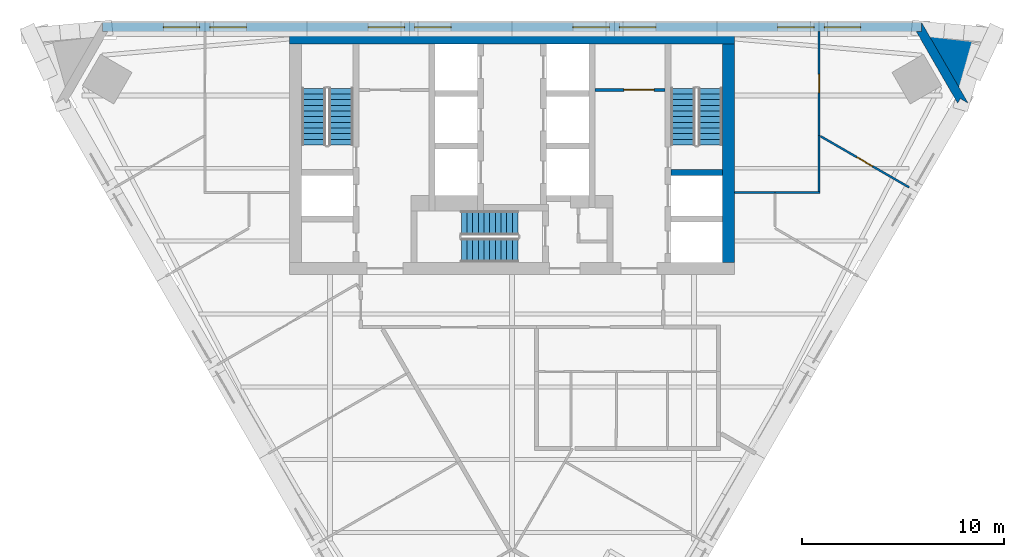
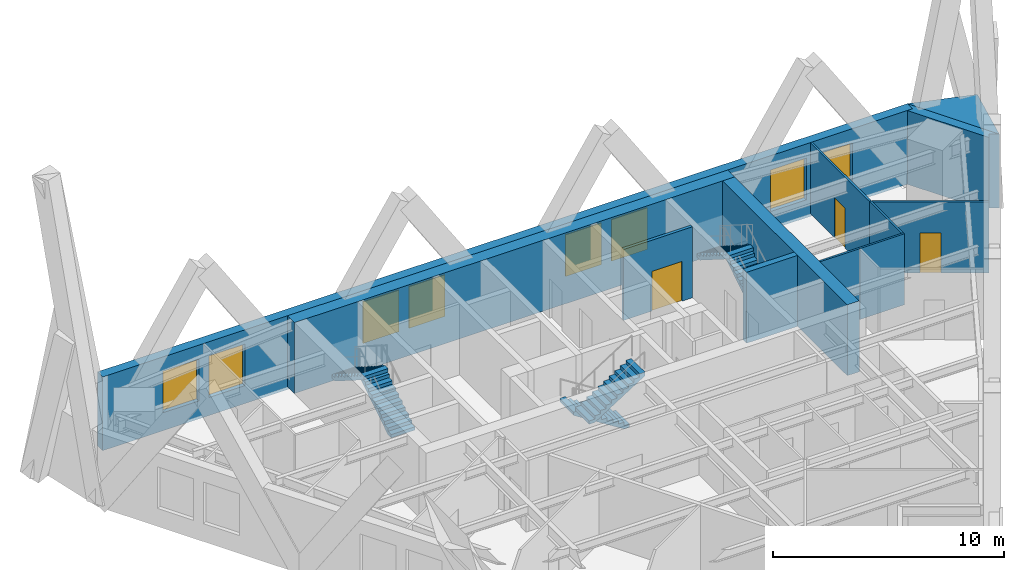
# One storey, part 6 of 8: 12 walls, 8 windows, 6 stair flights, 3 doors, 11 openings, 3 elements without a shape of their own.
"""IFC4 building model written with IfcOpenShell, lengths in metres."""

from ifc_helpers import new_model, si_unit, direction, frame, frame_2d, origin, place, context, subcontext, project, spatial, polyline, rectangle, outline, extrude, material, layer, layer_set, type_object, element, fill, aggregate, save


model = new_model("IFC4")

# Units and contexts
model_context = context("Model", 3, precision=1e-05, world=origin(), true_north=direction((0.0, 1.0)))
body_context = subcontext(model_context, "Body", "Model", "MODEL_VIEW")
ifc_project = project(units=[si_unit("LENGTHUNIT", "METRE"), si_unit("AREAUNIT", "SQUARE_METRE"), si_unit("VOLUMEUNIT", "CUBIC_METRE"), si_unit("PLANEANGLEUNIT", "RADIAN"), si_unit("MASSUNIT", "GRAM", prefix="KILO")], contexts=[model_context])

# Site, building, storey
site_placement = place(None, origin())
site = spatial("IfcSite", under=ifc_project, at=site_placement, CompositionType="ELEMENT")
building_placement = place(site_placement, origin())
building = spatial("IfcBuilding", under=site, at=building_placement, Name="Aloe Facet Convention Tower", CompositionType="ELEMENT")
storey_placement = place(building_placement, frame((0.0, 0.0, 159.800048828125)))
storey = spatial("IfcBuildingStorey", under=building, at=storey_placement, Name="L40", CompositionType="ELEMENT", Elevation=159.800048828125)

# Wall, opening, door
ifc_material_1 = material(Name="Concrete blockwork partition", Category="masonry")
ifc_layer_1 = layer(ifc_material_1, 0.14990234375)
ifc_layer_set_1 = layer_set([ifc_layer_1], Name="CR-W-PART150")
wall_type_1 = type_object("IfcWallType", Name="CR-W-PART150", PredefinedType="PARTITIONING", material=ifc_layer_set_1)
wall_1_placement = place(storey_placement, frame((84.10009765625, 131.675048828125, 0.0), z_axis=(0.0, 0.0, 1.0), x_axis=(1.0, 0.0, 0.0)))
wall_1 = element("IfcWall", 1, at=wall_1_placement, inside=storey, type_object=wall_type_1, Name="Core partition L40-025", PredefinedType="PARTITIONING", context=body_context, shape_type="SweptSolid", body=[
    extrude(rectangle(XDim=3.449951171875, YDim=0.14990234375, at=frame_2d((1.72509765625, 0.0))), origin(), (0.0, 0.0, 1.0), 3.75),
])
opening_1_placement = place(wall_1_placement, frame((1.425048828125, 0.0, 0.0)))
opening_1 = element("IfcOpeningElement", 2, at=opening_1_placement, cuts=wall_1, Name="Opening L40-CD13", PredefinedType="OPENING", context=body_context, shape_type="SweptSolid", body=[
    extrude(rectangle(XDim=1.5, YDim=2.10009765625, at=frame_2d((0.75, 1.050048828125))), frame((0.0, 0.0849609375, 0.0), z_axis=(0.0, -1.0, 0.0), x_axis=(1.0, 0.0, 0.0)), (0.0, 0.0, 1.0), 0.169921875),
])
ifc_material_2 = material(Name="Steel fire-resisting door set FD60", Category="steel")
door_type_1 = type_object("IfcDoorType", Name="CR-D-REFUGE-1500-FD60-DD", OperationType="DOUBLE_DOOR_DOUBLE_SWING", PredefinedType="DOOR", material=ifc_material_2)
door_1_placement = place(opening_1_placement, origin())
door_1 = element("IfcDoor", 3, at=door_1_placement, inside=storey, type_object=door_type_1, Name="Core door L40-CD13", OperationType="DOUBLE_DOOR_DOUBLE_SWING", OverallHeight=2.10009765625, OverallWidth=1.5, PredefinedType="DOOR", context=body_context, shape_type="SweptSolid", body=[
    extrude(rectangle(XDim=1.5, YDim=2.10009765625, at=frame_2d((0.75, 1.050048828125))), frame((0.0, 0.02490234375, 0.0), z_axis=(0.0, -1.0, 0.0), x_axis=(1.0, 0.0, 0.0)), (0.0, 0.0, 1.0), 0.050048828125),
])
fill(opening_1, door_1)

# Walls
ifc_material_3 = material(Name="Concrete C60/75", Category="concrete")
ifc_layer_2 = layer(ifc_material_3, 0.300048828125)
ifc_layer_set_2 = layer_set([ifc_layer_2], Name="CR-W-RC300-C6075")
wall_type_2 = type_object("IfcWallType", Name="CR-W-RC300-C6075", PredefinedType="SOLIDWALL", material=ifc_layer_set_2)
wall_2_placement = place(storey_placement, frame((87.85009765625, 127.60009765625, 0.0), z_axis=(0.0, 0.0, 1.0), x_axis=(1.0, 0.0, 0.0)))
element("IfcWall", 4, at=wall_2_placement, inside=storey, type_object=wall_type_2, Name="Core wall L40-029", PredefinedType="SOLIDWALL", context=body_context, shape_type="SweptSolid", body=[
    extrude(rectangle(XDim=2.5498046875, YDim=0.300048828125, at=frame_2d((1.27490234375, 0.0))), origin(), (0.0, 0.0, 1.0), 3.75),
])
ifc_material_4 = material(Name="Concrete C60/75", Category="concrete")
ifc_layer_3 = layer(ifc_material_4, 0.60009765625)
ifc_layer_set_3 = layer_set([ifc_layer_3], Name="CR-W-RC600-C6075")
wall_type_3 = type_object("IfcWallType", Name="CR-W-RC600-C6075", PredefinedType="SOLIDWALL", material=ifc_layer_set_3)
wall_3_placement = place(storey_placement, frame((69.0, 134.25, 0.0), z_axis=(0.0, 0.0, 1.0), x_axis=(1.0, 0.0, 0.0)))
element("IfcWall", 5, at=wall_3_placement, inside=storey, type_object=wall_type_3, Name="Core wall L40-001", PredefinedType="SOLIDWALL", context=body_context, shape_type="SweptSolid", body=[
    extrude(rectangle(XDim=22.0, YDim=0.60009765625, at=frame_2d((11.0, 0.0))), origin(), (0.0, 0.0, 1.0), 3.75),
])
wall_4_placement = place(storey_placement, frame((90.699951171875, 133.949951171875, 0.0), z_axis=(0.0, 0.0, 1.0), x_axis=(0.0, -1.0, 0.0)))
element("IfcWall", 6, at=wall_4_placement, inside=storey, type_object=wall_type_3, Name="Core wall L40-031", PredefinedType="SOLIDWALL", context=body_context, shape_type="SweptSolid", body=[
    extrude(rectangle(XDim=10.800048828125, YDim=0.60009765625, at=frame_2d((5.39990234375, 0.0))), origin(), (0.0, 0.0, 1.0), 3.75),
])
ifc_material_5 = material(Name="Precast concrete C40/50", Category="concrete")
ifc_layer_4 = layer(ifc_material_5, 0.449951171875)
ifc_layer_set_4 = layer_set([ifc_layer_4], Name="EV-WALL-PIER")
wall_type_4 = type_object("IfcWallType", Name="EV-WALL-PIER", PredefinedType="SOLIDWALL", material=ifc_layer_set_4)
wall_5_placement = place(storey_placement, frame((0.0, 0.0, -0.150146484375)))
element("IfcWall", 7, at=wall_5_placement, inside=storey, type_object=wall_type_4, Name="EP-L40-C", PredefinedType="SOLIDWALL", context=body_context, shape_type="SweptSolid", body=[
    extrude(outline(polyline([(102.54296875, 131.016357421875), (102.1533203125, 131.2412109375), (102.0234375, 131.016357421875), (99.983154296875, 134.550048828125), (100.2431640625, 134.550048828125), (100.2431640625, 135.0), (102.54296875, 131.016357421875)])), origin(), (0.0, 0.0, 1.0), 3.900146484375),
])
ifc_material_6 = material(Name="Precast concrete C40/50", Category="concrete")
ifc_layer_5 = layer(ifc_material_6, 3.947998046875)
ifc_layer_set_5 = layer_set([ifc_layer_5], Name="EV-WALL-SPINE")
wall_type_5 = type_object("IfcWallType", Name="EV-WALL-SPINE", PredefinedType="SOLIDWALL", material=ifc_layer_set_5)
wall_6_placement = place(storey_placement, frame((0.0, 0.0, -0.150146484375)))
element("IfcWall", 8, at=wall_6_placement, inside=storey, type_object=wall_type_5, Name="SP-NE-L40", PredefinedType="SOLIDWALL", context=body_context, shape_type="SweptSolid", body=[
    extrude(outline(polyline([(102.54296875, 131.016357421875), (103.224365234375, 134.09423828125), (100.2431640625, 135.0), (102.54296875, 131.016357421875)])), origin(), (0.0, 0.0, 1.0), 3.900146484375),
])

# Wall, openings, windows
ifc_material_7 = material(Name="Precast concrete C40/50", Category="concrete")
ifc_layer_6 = layer(ifc_material_7, 0.449951171875)
ifc_layer_set_6 = layer_set([ifc_layer_6], Name="EV-WALL-STONE")
wall_type_6 = type_object("IfcWallType", Name="EV-WALL-STONE", PredefinedType="SOLIDWALL", material=ifc_layer_set_6)
wall_7_placement = place(storey_placement, frame((100.2431640625, 134.77490234375, -0.150146484375), z_axis=(0.0, 0.0, 1.0), x_axis=(-1.0, 0.0, 0.0)))
wall_7 = element("IfcWall", 9, at=wall_7_placement, inside=storey, type_object=wall_type_6, Name="EW-L40-N01", PredefinedType="SOLIDWALL", context=body_context, shape_type="SweptSolid", body=[
    extrude(outline(polyline([(40.486083984375, 0.0), (40.486083984375, 3.900146484375), (0.0, 3.900146484375), (0.0, 0.0), (40.486083984375, 0.0)])), frame((0.0, 0.22509765625, 0.0), z_axis=(0.0, -1.0, 0.0), x_axis=(1.0, 0.0, 0.0)), (0.0, 0.0, 1.0), 0.449951171875),
])
opening_2_placement = place(wall_7_placement, frame((3.0107421875, 0.0, 0.949951171875)))
opening_2 = element("IfcOpeningElement", 10, at=opening_2_placement, cuts=wall_7, Name="Opening W-L40-N01", PredefinedType="OPENING", context=body_context, shape_type="SweptSolid", body=[
    extrude(rectangle(XDim=1.800048828125, YDim=2.199951171875, at=frame_2d((0.89990234375, 1.10009765625))), frame((0.0, 0.23486328125, 0.0), z_axis=(0.0, -1.0, 0.0), x_axis=(1.0, 0.0, 0.0)), (0.0, 0.0, 1.0), 0.469970703125),
])
opening_3_placement = place(wall_7_placement, frame((5.310791015625, 0.0, 0.949951171875)))
opening_3 = element("IfcOpeningElement", 11, at=opening_3_placement, cuts=wall_7, Name="Opening W-L40-N02", PredefinedType="OPENING", context=body_context, shape_type="SweptSolid", body=[
    extrude(rectangle(XDim=1.800048828125, YDim=2.199951171875, at=frame_2d((0.89990234375, 1.10009765625))), frame((0.0, 0.23486328125, 0.0), z_axis=(0.0, -1.0, 0.0), x_axis=(1.0, 0.0, 0.0)), (0.0, 0.0, 1.0), 0.469970703125),
])
opening_4_placement = place(wall_7_placement, frame((13.13232421875, 0.0, 0.949951171875)))
opening_4 = element("IfcOpeningElement", 12, at=opening_4_placement, cuts=wall_7, Name="Opening W-L40-N03", PredefinedType="OPENING", context=body_context, shape_type="SweptSolid", body=[
    extrude(rectangle(XDim=1.800048828125, YDim=2.199951171875, at=frame_2d((0.89990234375, 1.10009765625))), frame((0.0, 0.23486328125, 0.0), z_axis=(0.0, -1.0, 0.0), x_axis=(1.0, 0.0, 0.0)), (0.0, 0.0, 1.0), 0.469970703125),
])
opening_5_placement = place(wall_7_placement, frame((15.432373046875, 0.0, 0.949951171875)))
opening_5 = element("IfcOpeningElement", 13, at=opening_5_placement, cuts=wall_7, Name="Opening W-L40-N04", PredefinedType="OPENING", context=body_context, shape_type="SweptSolid", body=[
    extrude(rectangle(XDim=1.800048828125, YDim=2.199951171875, at=frame_2d((0.89990234375, 1.10009765625))), frame((0.0, 0.23486328125, 0.0), z_axis=(0.0, -1.0, 0.0), x_axis=(1.0, 0.0, 0.0)), (0.0, 0.0, 1.0), 0.469970703125),
])
opening_6_placement = place(wall_7_placement, frame((23.25390625, 0.0, 0.949951171875)))
opening_6 = element("IfcOpeningElement", 14, at=opening_6_placement, cuts=wall_7, Name="Opening W-L40-N05", PredefinedType="OPENING", context=body_context, shape_type="SweptSolid", body=[
    extrude(rectangle(XDim=1.800048828125, YDim=2.199951171875, at=frame_2d((0.89990234375, 1.10009765625))), frame((0.0, 0.23486328125, 0.0), z_axis=(0.0, -1.0, 0.0), x_axis=(1.0, 0.0, 0.0)), (0.0, 0.0, 1.0), 0.469970703125),
])
opening_7_placement = place(wall_7_placement, frame((25.553955078125, 0.0, 0.949951171875)))
opening_7 = element("IfcOpeningElement", 15, at=opening_7_placement, cuts=wall_7, Name="Opening W-L40-N06", PredefinedType="OPENING", context=body_context, shape_type="SweptSolid", body=[
    extrude(rectangle(XDim=1.800048828125, YDim=2.199951171875, at=frame_2d((0.89990234375, 1.10009765625))), frame((0.0, 0.23486328125, 0.0), z_axis=(0.0, -1.0, 0.0), x_axis=(1.0, 0.0, 0.0)), (0.0, 0.0, 1.0), 0.469970703125),
])
opening_8_placement = place(wall_7_placement, frame((33.37548828125, 0.0, 0.949951171875)))
opening_8 = element("IfcOpeningElement", 16, at=opening_8_placement, cuts=wall_7, Name="Opening W-L40-N07", PredefinedType="OPENING", context=body_context, shape_type="SweptSolid", body=[
    extrude(rectangle(XDim=1.800048828125, YDim=2.199951171875, at=frame_2d((0.89990234375, 1.10009765625))), frame((0.0, 0.23486328125, 0.0), z_axis=(0.0, -1.0, 0.0), x_axis=(1.0, 0.0, 0.0)), (0.0, 0.0, 1.0), 0.469970703125),
])
opening_9_placement = place(wall_7_placement, frame((35.67529296875, 0.0, 0.949951171875)))
opening_9 = element("IfcOpeningElement", 17, at=opening_9_placement, cuts=wall_7, Name="Opening W-L40-N08", PredefinedType="OPENING", context=body_context, shape_type="SweptSolid", body=[
    extrude(rectangle(XDim=1.800048828125, YDim=2.199951171875, at=frame_2d((0.89990234375, 1.10009765625))), frame((0.0, 0.23486328125, 0.0), z_axis=(0.0, -1.0, 0.0), x_axis=(1.0, 0.0, 0.0)), (0.0, 0.0, 1.0), 0.469970703125),
])
ifc_material_8 = material(Name="Aluminium frame, clear double glazing", Category="aluminium")
window_type = type_object("IfcWindowType", Name="EV-WIN-O18", PartitioningType="SINGLE_PANEL", PredefinedType="WINDOW", material=ifc_material_8)
window_1_placement = place(opening_2_placement, origin())
window_1 = element("IfcWindow", 18, at=window_1_placement, inside=storey, type_object=window_type, Name="W-L40-N01", OverallHeight=2.199951171875, OverallWidth=1.800048828125, PartitioningType="SINGLE_PANEL", PredefinedType="WINDOW", context=body_context, shape_type="SweptSolid", body=[
    extrude(rectangle(XDim=1.800048828125, YDim=2.199951171875, at=frame_2d((0.89990234375, 1.10009765625))), frame((0.0, 0.030029296875, 0.0), z_axis=(0.0, -1.0, 0.0), x_axis=(1.0, 0.0, 0.0)), (0.0, 0.0, 1.0), 0.06005859375),
])
fill(opening_2, window_1)
window_2_placement = place(opening_3_placement, origin())
window_2 = element("IfcWindow", 19, at=window_2_placement, inside=storey, type_object=window_type, Name="W-L40-N02", OverallHeight=2.199951171875, OverallWidth=1.800048828125, PartitioningType="SINGLE_PANEL", PredefinedType="WINDOW", context=body_context, shape_type="SweptSolid", body=[
    extrude(rectangle(XDim=1.800048828125, YDim=2.199951171875, at=frame_2d((0.89990234375, 1.10009765625))), frame((0.0, 0.030029296875, 0.0), z_axis=(0.0, -1.0, 0.0), x_axis=(1.0, 0.0, 0.0)), (0.0, 0.0, 1.0), 0.06005859375),
])
fill(opening_3, window_2)
window_3_placement = place(opening_4_placement, origin())
window_3 = element("IfcWindow", 20, at=window_3_placement, inside=storey, type_object=window_type, Name="W-L40-N03", OverallHeight=2.199951171875, OverallWidth=1.800048828125, PartitioningType="SINGLE_PANEL", PredefinedType="WINDOW", context=body_context, shape_type="SweptSolid", body=[
    extrude(rectangle(XDim=1.800048828125, YDim=2.199951171875, at=frame_2d((0.89990234375, 1.10009765625))), frame((0.0, 0.030029296875, 0.0), z_axis=(0.0, -1.0, 0.0), x_axis=(1.0, 0.0, 0.0)), (0.0, 0.0, 1.0), 0.06005859375),
])
fill(opening_4, window_3)
window_4_placement = place(opening_5_placement, origin())
window_4 = element("IfcWindow", 21, at=window_4_placement, inside=storey, type_object=window_type, Name="W-L40-N04", OverallHeight=2.199951171875, OverallWidth=1.800048828125, PartitioningType="SINGLE_PANEL", PredefinedType="WINDOW", context=body_context, shape_type="SweptSolid", body=[
    extrude(rectangle(XDim=1.800048828125, YDim=2.199951171875, at=frame_2d((0.89990234375, 1.10009765625))), frame((0.0, 0.030029296875, 0.0), z_axis=(0.0, -1.0, 0.0), x_axis=(1.0, 0.0, 0.0)), (0.0, 0.0, 1.0), 0.06005859375),
])
fill(opening_5, window_4)
window_5_placement = place(opening_6_placement, origin())
window_5 = element("IfcWindow", 22, at=window_5_placement, inside=storey, type_object=window_type, Name="W-L40-N05", OverallHeight=2.199951171875, OverallWidth=1.800048828125, PartitioningType="SINGLE_PANEL", PredefinedType="WINDOW", context=body_context, shape_type="SweptSolid", body=[
    extrude(rectangle(XDim=1.800048828125, YDim=2.199951171875, at=frame_2d((0.89990234375, 1.10009765625))), frame((0.0, 0.030029296875, 0.0), z_axis=(0.0, -1.0, 0.0), x_axis=(1.0, 0.0, 0.0)), (0.0, 0.0, 1.0), 0.06005859375),
])
fill(opening_6, window_5)
window_6_placement = place(opening_7_placement, origin())
window_6 = element("IfcWindow", 23, at=window_6_placement, inside=storey, type_object=window_type, Name="W-L40-N06", OverallHeight=2.199951171875, OverallWidth=1.800048828125, PartitioningType="SINGLE_PANEL", PredefinedType="WINDOW", context=body_context, shape_type="SweptSolid", body=[
    extrude(rectangle(XDim=1.800048828125, YDim=2.199951171875, at=frame_2d((0.89990234375, 1.10009765625))), frame((0.0, 0.030029296875, 0.0), z_axis=(0.0, -1.0, 0.0), x_axis=(1.0, 0.0, 0.0)), (0.0, 0.0, 1.0), 0.06005859375),
])
fill(opening_7, window_6)
window_7_placement = place(opening_8_placement, origin())
window_7 = element("IfcWindow", 24, at=window_7_placement, inside=storey, type_object=window_type, Name="W-L40-N07", OverallHeight=2.199951171875, OverallWidth=1.800048828125, PartitioningType="SINGLE_PANEL", PredefinedType="WINDOW", context=body_context, shape_type="SweptSolid", body=[
    extrude(rectangle(XDim=1.800048828125, YDim=2.199951171875, at=frame_2d((0.89990234375, 1.10009765625))), frame((0.0, 0.030029296875, 0.0), z_axis=(0.0, -1.0, 0.0), x_axis=(1.0, 0.0, 0.0)), (0.0, 0.0, 1.0), 0.06005859375),
])
fill(opening_8, window_7)
window_8_placement = place(opening_9_placement, origin())
window_8 = element("IfcWindow", 25, at=window_8_placement, inside=storey, type_object=window_type, Name="W-L40-N08", OverallHeight=2.199951171875, OverallWidth=1.800048828125, PartitioningType="SINGLE_PANEL", PredefinedType="WINDOW", context=body_context, shape_type="SweptSolid", body=[
    extrude(rectangle(XDim=1.800048828125, YDim=2.199951171875, at=frame_2d((0.89990234375, 1.10009765625))), frame((0.0, 0.030029296875, 0.0), z_axis=(0.0, -1.0, 0.0), x_axis=(1.0, 0.0, 0.0)), (0.0, 0.0, 1.0), 0.06005859375),
])
fill(opening_9, window_8)

# Walls
ifc_material_9 = material(Name="Gypsum board partition on steel studs", Category="steel")
ifc_layer_7 = layer(ifc_material_9, 0.10009765625)
ifc_layer_set_7 = layer_set([ifc_layer_7], Name="IN-W-PART")
wall_type_7 = type_object("IfcWallType", Name="IN-W-PART", PredefinedType="PARTITIONING", material=ifc_layer_set_7)
wall_8_placement = place(storey_placement, frame((91.0, 126.60009765625, 0.0), z_axis=(0.0, 0.0, 1.0), x_axis=(1.0, 0.0, 0.0)))
element("IfcWall", 26, at=wall_8_placement, inside=storey, type_object=wall_type_7, Name="Partition L40-W046", PredefinedType="PARTITIONING", context=body_context, shape_type="SweptSolid", body=[
    extrude(rectangle(XDim=2.0, YDim=0.10009765625, at=frame_2d((1.0, 0.0))), origin(), (0.0, 0.0, 1.0), 3.75),
])
wall_9_placement = place(storey_placement, frame((93.0, 126.60009765625, 0.0), z_axis=(0.0, 0.0, 1.0), x_axis=(1.0, 0.0, 0.0)))
element("IfcWall", 27, at=wall_9_placement, inside=storey, type_object=wall_type_7, Name="Partition L40-W047", PredefinedType="PARTITIONING", context=body_context, shape_type="SweptSolid", body=[
    extrude(rectangle(XDim=2.232421875, YDim=0.10009765625, at=frame_2d((1.1162109375, 0.0))), origin(), (0.0, 0.0, 1.0), 3.75),
])
wall_10_placement = place(storey_placement, frame((95.182373046875, 126.64990234375, 0.0), z_axis=(0.0, 0.0, 1.0), x_axis=(0.0, 1.0, 0.0)))
element("IfcWall", 28, at=wall_10_placement, inside=storey, type_object=wall_type_7, Name="Partition L40-W048", PredefinedType="PARTITIONING", context=body_context, shape_type="SweptSolid", body=[
    extrude(rectangle(XDim=2.7724609375, YDim=0.10009765625, at=frame_2d((1.38623046875, 0.0))), origin(), (0.0, 0.0, 1.0), 3.75),
])

# Wall, opening, door
wall_11_placement = place(storey_placement, frame((95.242919921875, 129.387451171875, 0.0), z_axis=(0.0, 0.0, 1.0), x_axis=(0.866030444867, -0.499991268487, 0.0)))
wall_11 = element("IfcWall", 29, at=wall_11_placement, inside=storey, type_object=wall_type_7, Name="Partition L40-W049", PredefinedType="PARTITIONING", context=body_context, shape_type="SweptSolid", body=[
    extrude(rectangle(XDim=5.0576171875, YDim=0.10009765625, at=frame_2d((2.52880859375, 0.0))), origin(), (0.0, 0.0, 1.0), 3.75),
])
opening_10_placement = place(wall_11_placement, frame((2.078857421875, 0.0, 0.0)))
opening_10 = element("IfcOpeningElement", 30, at=opening_10_placement, cuts=wall_11, Name="Opening L40-019", PredefinedType="OPENING", context=body_context, shape_type="SweptSolid", body=[
    extrude(rectangle(XDim=0.89990234375, YDim=2.10009765625, at=frame_2d((0.449951171875, 1.050048828125))), frame((0.0, 0.06005859375, 0.0), z_axis=(0.0, -1.0, 0.0), x_axis=(1.0, 0.0, 0.0)), (0.0, 0.0, 1.0), 0.1201171875),
])
ifc_material_10 = material(Name="Timber door", Category="wood")
door_type_2 = type_object("IfcDoorType", Name="IN-OFF-D-ROOM", OperationType="SINGLE_SWING_LEFT", PredefinedType="DOOR", material=ifc_material_10)
door_2_placement = place(opening_10_placement, origin())
door_2 = element("IfcDoor", 31, at=door_2_placement, inside=storey, type_object=door_type_2, Name="Door L40-019", OperationType="SINGLE_SWING_LEFT", OverallHeight=2.10009765625, OverallWidth=0.89990234375, PredefinedType="DOOR", context=body_context, shape_type="SweptSolid", body=[
    extrude(rectangle(XDim=0.89990234375, YDim=2.10009765625, at=frame_2d((0.449951171875, 1.050048828125))), frame((0.0, 0.02490234375, 0.0), z_axis=(0.0, -1.0, 0.0), x_axis=(1.0, 0.0, 0.0)), (0.0, 0.0, 1.0), 0.050048828125),
])
fill(opening_10, door_2)

wall_12_placement = place(storey_placement, frame((95.182373046875, 129.42236328125, 0.0), z_axis=(0.0, 0.0, 1.0), x_axis=(0.0, 1.0, 0.0)))
wall_12 = element("IfcWall", 32, at=wall_12_placement, inside=storey, type_object=wall_type_7, Name="Partition L40-W052", PredefinedType="PARTITIONING", context=body_context, shape_type="SweptSolid", body=[
    extrude(rectangle(XDim=5.127685546875, YDim=0.10009765625, at=frame_2d((2.56396484375, 0.0))), origin(), (0.0, 0.0, 1.0), 3.75),
])
opening_11_placement = place(wall_12_placement, frame((2.11376953125, 0.0, 0.0)))
opening_11 = element("IfcOpeningElement", 33, at=opening_11_placement, cuts=wall_12, Name="Opening L40-006", PredefinedType="OPENING", context=body_context, shape_type="SweptSolid", body=[
    extrude(rectangle(XDim=0.89990234375, YDim=2.10009765625, at=frame_2d((0.449951171875, 1.050048828125))), frame((0.0, 0.06005859375, 0.0), z_axis=(0.0, -1.0, 0.0), x_axis=(1.0, 0.0, 0.0)), (0.0, 0.0, 1.0), 0.1201171875),
])
door_3_placement = place(opening_11_placement, origin())
door_3 = element("IfcDoor", 34, at=door_3_placement, inside=storey, type_object=door_type_2, Name="Door L40-006", OperationType="SINGLE_SWING_LEFT", OverallHeight=2.10009765625, OverallWidth=0.89990234375, PredefinedType="DOOR", context=body_context, shape_type="SweptSolid", body=[
    extrude(rectangle(XDim=0.89990234375, YDim=2.10009765625, at=frame_2d((0.449951171875, 1.050048828125))), frame((0.0, 0.02490234375, 0.0), z_axis=(0.0, -1.0, 0.0), x_axis=(1.0, 0.0, 0.0)), (0.0, 0.0, 1.0), 0.050048828125),
])
fill(opening_11, door_3)

# Stair, stair flights
ifc_material_11 = material(Name="Concrete C50/60", Category="concrete")
stair_type = type_object("IfcStairType", Name="CR-ST-22R", PredefinedType="HALF_TURN_STAIR", material=ifc_material_11)
stair_1_placement = place(storey_placement, origin())
stair_1 = element("IfcStair", 35, at=stair_1_placement, inside=storey, type_object=stair_type, Name="L40 Protected exit stair ST1", PredefinedType="HALF_TURN_STAIR")
ifc_material_12 = material(Name="Concrete C50/60", Category="concrete")
stair_flight_type = type_object("IfcStairFlightType", Name="CR-SFL-22R", PredefinedType="STRAIGHT", material=ifc_material_12)
stair_flight_1_placement = place(storey_placement, frame((71.550048828125, 128.949951171875, 0.0), z_axis=(0.0, 0.0, 1.0), x_axis=(0.0, 1.0, 0.0)))
stair_flight_1 = element("IfcStairFlight", 36, at=stair_flight_1_placement, type_object=stair_flight_type, Name="ST1 flight 1", NumberOfRisers=11, NumberOfTreads=10, PredefinedType="STRAIGHT", RiserHeight=0.177272727, TreadLength=0.28, context=body_context, shape_type="SweptSolid", body=[
    extrude(outline(polyline([(0.0, 0.0), (0.0, 0.17724609375), (0.280029296875, 0.17724609375), (0.280029296875, 0.3544921875), (0.56005859375, 0.3544921875), (0.56005859375, 0.53173828125), (0.840087890625, 0.53173828125), (0.840087890625, 0.708984375), (1.1201171875, 0.708984375), (1.1201171875, 0.886474609375), (1.39990234375, 0.886474609375), (1.39990234375, 1.063720703125), (1.679931640625, 1.063720703125), (1.679931640625, 1.240966796875), (1.9599609375, 1.240966796875), (1.9599609375, 1.418212890625), (2.239990234375, 1.418212890625), (2.239990234375, 1.595458984375), (2.52001953125, 1.595458984375), (2.52001953125, 1.772705078125), (2.800048828125, 1.772705078125), (2.800048828125, 1.949951171875), (2.800048828125, 1.59521484375), (0.2802734375, 0.0), (0.0, 0.0)])), frame((0.0, 0.60009765625, 0.0), z_axis=(0.0, -1.0, 0.0), x_axis=(1.0, 0.0, 0.0)), (0.0, 0.0, 1.0), 1.199951171875),
])
stair_flight_2_placement = place(storey_placement, frame((70.199951171875, 131.75, 1.949951171875), z_axis=(0.0, 0.0, 1.0), x_axis=(0.0, -1.0, 0.0)))
stair_flight_2 = element("IfcStairFlight", 37, at=stair_flight_2_placement, type_object=stair_flight_type, Name="ST1 flight 2", NumberOfRisers=11, NumberOfTreads=10, PredefinedType="STRAIGHT", RiserHeight=0.177272727, TreadLength=0.28, context=body_context, shape_type="SweptSolid", body=[
    extrude(outline(polyline([(0.0, 0.0), (0.0, 0.17724609375), (0.280029296875, 0.17724609375), (0.280029296875, 0.3544921875), (0.56005859375, 0.3544921875), (0.56005859375, 0.53173828125), (0.840087890625, 0.53173828125), (0.840087890625, 0.708984375), (1.1201171875, 0.708984375), (1.1201171875, 0.886474609375), (1.39990234375, 0.886474609375), (1.39990234375, 1.063720703125), (1.679931640625, 1.063720703125), (1.679931640625, 1.240966796875), (1.9599609375, 1.240966796875), (1.9599609375, 1.418212890625), (2.239990234375, 1.418212890625), (2.239990234375, 1.595458984375), (2.52001953125, 1.595458984375), (2.52001953125, 1.772705078125), (2.800048828125, 1.772705078125), (2.800048828125, 1.949951171875), (2.800048828125, 1.59521484375), (0.2802734375, 0.0), (0.0, 0.0)])), frame((0.0, 0.60009765625, 0.0), z_axis=(0.0, -1.0, 0.0), x_axis=(1.0, 0.0, 0.0)), (0.0, 0.0, 1.0), 1.199951171875),
])
aggregate(stair_1, [stair_flight_1, stair_flight_2])

stair_2_placement = place(storey_placement, origin())
stair_2 = element("IfcStair", 38, at=stair_2_placement, inside=storey, type_object=stair_type, Name="L40 Protected exit stair ST2", PredefinedType="HALF_TURN_STAIR")
stair_flight_3_placement = place(storey_placement, frame((89.800048828125, 128.949951171875, 0.0), z_axis=(0.0, 0.0, 1.0), x_axis=(0.0, 1.0, 0.0)))
stair_flight_3 = element("IfcStairFlight", 39, at=stair_flight_3_placement, type_object=stair_flight_type, Name="ST2 flight 1", NumberOfRisers=11, NumberOfTreads=10, PredefinedType="STRAIGHT", RiserHeight=0.177272727, TreadLength=0.28, context=body_context, shape_type="SweptSolid", body=[
    extrude(outline(polyline([(0.0, 0.0), (0.0, 0.17724609375), (0.280029296875, 0.17724609375), (0.280029296875, 0.3544921875), (0.56005859375, 0.3544921875), (0.56005859375, 0.53173828125), (0.840087890625, 0.53173828125), (0.840087890625, 0.708984375), (1.1201171875, 0.708984375), (1.1201171875, 0.886474609375), (1.39990234375, 0.886474609375), (1.39990234375, 1.063720703125), (1.679931640625, 1.063720703125), (1.679931640625, 1.240966796875), (1.9599609375, 1.240966796875), (1.9599609375, 1.418212890625), (2.239990234375, 1.418212890625), (2.239990234375, 1.595458984375), (2.52001953125, 1.595458984375), (2.52001953125, 1.772705078125), (2.800048828125, 1.772705078125), (2.800048828125, 1.949951171875), (2.800048828125, 1.59521484375), (0.2802734375, 0.0), (0.0, 0.0)])), frame((0.0, 0.60009765625, 0.0), z_axis=(0.0, -1.0, 0.0), x_axis=(1.0, 0.0, 0.0)), (0.0, 0.0, 1.0), 1.199951171875),
])
stair_flight_4_placement = place(storey_placement, frame((88.449951171875, 131.75, 1.949951171875), z_axis=(0.0, 0.0, 1.0), x_axis=(0.0, -1.0, 0.0)))
stair_flight_4 = element("IfcStairFlight", 40, at=stair_flight_4_placement, type_object=stair_flight_type, Name="ST2 flight 2", NumberOfRisers=11, NumberOfTreads=10, PredefinedType="STRAIGHT", RiserHeight=0.177272727, TreadLength=0.28, context=body_context, shape_type="SweptSolid", body=[
    extrude(outline(polyline([(0.0, 0.0), (0.0, 0.17724609375), (0.280029296875, 0.17724609375), (0.280029296875, 0.3544921875), (0.56005859375, 0.3544921875), (0.56005859375, 0.53173828125), (0.840087890625, 0.53173828125), (0.840087890625, 0.708984375), (1.1201171875, 0.708984375), (1.1201171875, 0.886474609375), (1.39990234375, 0.886474609375), (1.39990234375, 1.063720703125), (1.679931640625, 1.063720703125), (1.679931640625, 1.240966796875), (1.9599609375, 1.240966796875), (1.9599609375, 1.418212890625), (2.239990234375, 1.418212890625), (2.239990234375, 1.595458984375), (2.52001953125, 1.595458984375), (2.52001953125, 1.772705078125), (2.800048828125, 1.772705078125), (2.800048828125, 1.949951171875), (2.800048828125, 1.59521484375), (0.2802734375, 0.0), (0.0, 0.0)])), frame((0.0, 0.60009765625, 0.0), z_axis=(0.0, -1.0, 0.0), x_axis=(1.0, 0.0, 0.0)), (0.0, 0.0, 1.0), 1.199951171875),
])
aggregate(stair_2, [stair_flight_3, stair_flight_4])

stair_3_placement = place(storey_placement, origin())
stair_3 = element("IfcStair", 41, at=stair_3_placement, inside=storey, type_object=stair_type, Name="L40 Protected exit stair ST3", PredefinedType="HALF_TURN_STAIR")
stair_flight_5_placement = place(storey_placement, frame((80.300048828125, 125.10009765625, 0.0), z_axis=(0.0, 0.0, 1.0), x_axis=(-1.0, 0.0, 0.0)))
stair_flight_5 = element("IfcStairFlight", 42, at=stair_flight_5_placement, type_object=stair_flight_type, Name="ST3 flight 1", NumberOfRisers=11, NumberOfTreads=10, PredefinedType="STRAIGHT", RiserHeight=0.177272727, TreadLength=0.28, context=body_context, shape_type="SweptSolid", body=[
    extrude(outline(polyline([(0.0, 0.0), (0.0, 0.17724609375), (0.280029296875, 0.17724609375), (0.280029296875, 0.3544921875), (0.56005859375, 0.3544921875), (0.56005859375, 0.53173828125), (0.840087890625, 0.53173828125), (0.840087890625, 0.708984375), (1.1201171875, 0.708984375), (1.1201171875, 0.886474609375), (1.39990234375, 0.886474609375), (1.39990234375, 1.063720703125), (1.679931640625, 1.063720703125), (1.679931640625, 1.240966796875), (1.9599609375, 1.240966796875), (1.9599609375, 1.418212890625), (2.239990234375, 1.418212890625), (2.239990234375, 1.595458984375), (2.52001953125, 1.595458984375), (2.52001953125, 1.772705078125), (2.800048828125, 1.772705078125), (2.800048828125, 1.949951171875), (2.800048828125, 1.59521484375), (0.2802734375, 0.0), (0.0, 0.0)])), frame((0.0, 0.60009765625, 0.0), z_axis=(0.0, -1.0, 0.0), x_axis=(1.0, 0.0, 0.0)), (0.0, 0.0, 1.0), 1.199951171875),
])
stair_flight_6_placement = place(storey_placement, frame((77.5, 123.75, 1.949951171875), z_axis=(0.0, 0.0, 1.0), x_axis=(1.0, 0.0, 0.0)))
stair_flight_6 = element("IfcStairFlight", 43, at=stair_flight_6_placement, type_object=stair_flight_type, Name="ST3 flight 2", NumberOfRisers=11, NumberOfTreads=10, PredefinedType="STRAIGHT", RiserHeight=0.177272727, TreadLength=0.28, context=body_context, shape_type="SweptSolid", body=[
    extrude(outline(polyline([(0.0, 0.0), (0.0, 0.17724609375), (0.280029296875, 0.17724609375), (0.280029296875, 0.3544921875), (0.56005859375, 0.3544921875), (0.56005859375, 0.53173828125), (0.840087890625, 0.53173828125), (0.840087890625, 0.708984375), (1.1201171875, 0.708984375), (1.1201171875, 0.886474609375), (1.39990234375, 0.886474609375), (1.39990234375, 1.063720703125), (1.679931640625, 1.063720703125), (1.679931640625, 1.240966796875), (1.9599609375, 1.240966796875), (1.9599609375, 1.418212890625), (2.239990234375, 1.418212890625), (2.239990234375, 1.595458984375), (2.52001953125, 1.595458984375), (2.52001953125, 1.772705078125), (2.800048828125, 1.772705078125), (2.800048828125, 1.949951171875), (2.800048828125, 1.59521484375), (0.2802734375, 0.0), (0.0, 0.0)])), frame((0.0, 0.60009765625, 0.0), z_axis=(0.0, -1.0, 0.0), x_axis=(1.0, 0.0, 0.0)), (0.0, 0.0, 1.0), 1.199951171875),
])
aggregate(stair_3, [stair_flight_5, stair_flight_6])

save(model, "model.ifc")
